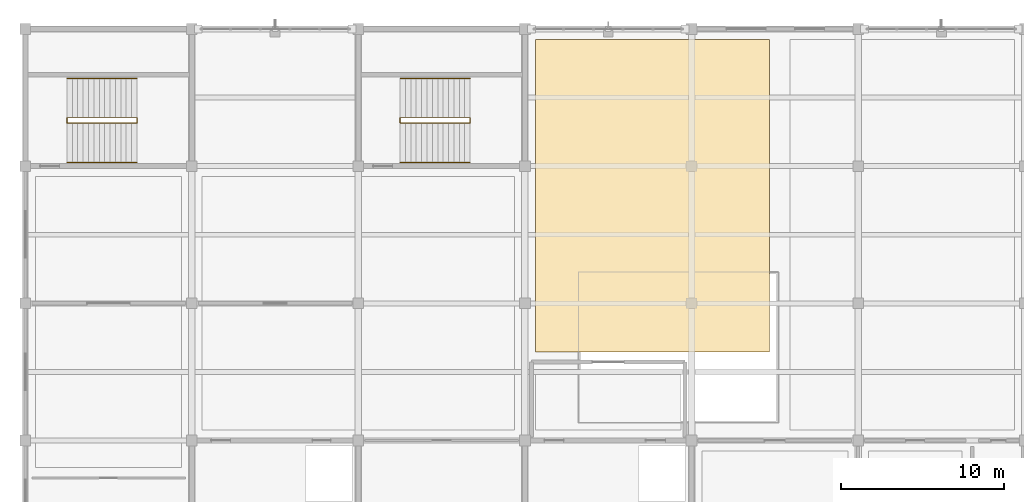
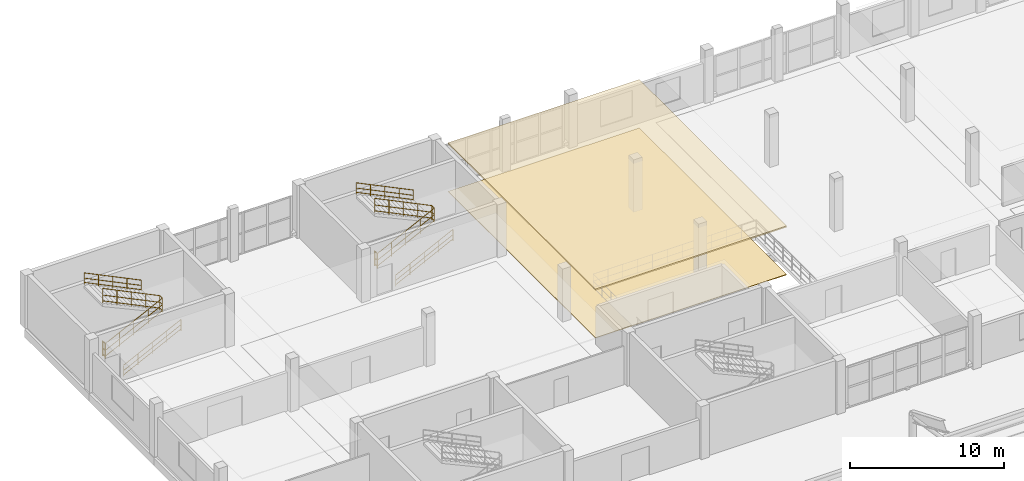
# One storey, part 134 of 135: 8 railings, 2 coverings.
"""IFC4 building model written with IfcOpenShell, lengths in metres."""

from ifc_helpers import new_model, si_unit, direction, frame, origin, origin_2d, place, context, subcontext, project, spatial, polyline, circle, outline, extrude, material, layer, layer_set, type_object, element, save


model = new_model("IFC4")

# Units and contexts
model_context = context("Model", 3, precision=1e-05, world=origin(), true_north=direction((0.0, 1.0)))
body_context = subcontext(model_context, "Body", "Model", "MODEL_VIEW")
ifc_project = project(units=[si_unit("LENGTHUNIT", "METRE"), si_unit("AREAUNIT", "SQUARE_METRE"), si_unit("VOLUMEUNIT", "CUBIC_METRE"), si_unit("PLANEANGLEUNIT", "RADIAN"), si_unit("MASSUNIT", "GRAM", prefix="KILO")], contexts=[model_context])

# Site, building, storey
site_placement = place(None, origin())
site = spatial("IfcSite", under=ifc_project, at=site_placement, CompositionType="ELEMENT")
building_placement = place(site_placement, origin())
building = spatial("IfcBuilding", under=site, at=building_placement, Name="Brelvane Convention Centre", CompositionType="ELEMENT")
storey_placement = place(building_placement, frame((0.0, 0.0, 15.0)))
storey = spatial("IfcBuildingStorey", under=building, at=storey_placement, Name="L03", CompositionType="ELEMENT", Elevation=15.0)

# Coverings
ifc_material_1 = material(Name="Perforated Anodised Aluminium Alloy 6063 Acoustic Baffle", Category="aluminium")
ifc_layer_1 = layer(ifc_material_1, 0.110107421875)
ifc_layer_set_1 = layer_set([ifc_layer_1], Name="Perforated Anodised Aluminium Alloy 6063 Acoustic Baffle")
covering_type_1 = type_object("IfcCoveringType", Name="Interior Finish CL-BAF-110", PredefinedType="CEILING", material=ifc_layer_set_1)
covering_1_placement = place(storey_placement, frame((0.0, 0.0, 3.784912109375)))
element("IfcCovering", 1, at=covering_1_placement, inside=storey, type_object=covering_type_1, Name="Meeting Room 403 Acoustic Ceiling (CL-BAF-110)", PredefinedType="CEILING", context=body_context, shape_type="SweptSolid", body=[
    extrude(outline(polyline([(31.22998046875, 124.22998046875), (45.570068359375, 124.22998046875), (45.570068359375, 143.3701171875), (31.22998046875, 143.3701171875), (31.22998046875, 124.22998046875)])), origin(), (0.0, 0.0, 1.0), 0.110107421875),
])
ifc_material_2 = material(Name="Heavy-Duty Quartz-Filled Industrial Epoxy Screed Grade A")
ifc_layer_2 = layer(ifc_material_2, 0.044921875)
ifc_layer_set_2 = layer_set([ifc_layer_2], Name="Heavy-Duty Quartz-Filled Industrial Epoxy Screed Grade A")
covering_type_2 = type_object("IfcCoveringType", Name="Interior Finish FL-EPX-45", PredefinedType="FLOORING", material=ifc_layer_set_2)
covering_2_placement = place(storey_placement, origin())
element("IfcCovering", 2, at=covering_2_placement, inside=storey, type_object=covering_type_2, Name="Meeting Room 403 Floor Finish (FL-EPX-45)", PredefinedType="FLOORING", context=body_context, shape_type="SweptSolid", body=[
    extrude(outline(polyline([(31.22998046875, 124.22998046875), (45.570068359375, 124.22998046875), (45.570068359375, 143.3701171875), (31.22998046875, 143.3701171875), (31.22998046875, 124.22998046875)])), origin(), (0.0, 0.0, 1.0), 0.044921875),
])

# Railings
ifc_material_3 = material(Name="Steel E350 (350 MPa)", Category="steel")
railing_type_1 = type_object("IfcRailingType", Name="Stair Railing GR-ST-1", PredefinedType="GUARDRAIL", material=ifc_material_3)
railing_1_placement = place(storey_placement, frame((22.949951171875, 138.239990234375, -0.02001953125)))
element("IfcRailing", 3, at=railing_1_placement, inside=storey, type_object=railing_type_1, Name="Stair ST-13 L03 Inner Well Guard", PredefinedType="GUARDRAIL", context=body_context, shape_type="SweptSolid", body=[
    extrude(circle(Radius=0.02392578125, at=origin_2d()), frame((0.0, 0.0, 1.1259765625), z_axis=(0.896499061709, 0.0, 0.443045632363), x_axis=(0.0, 1.0, 0.0)), (0.0, 0.0, 1.0), 4.785400390625),
    extrude(circle(Radius=0.02392578125, at=origin_2d()), frame((0.0, 0.0, 0.597900390625), z_axis=(0.896499061709, 0.0, 0.443045632363), x_axis=(0.0, 1.0, 0.0)), (0.0, 0.0, 1.0), 4.785400390625),
    extrude(circle(Radius=0.02392578125, at=origin_2d()), frame((0.0, 0.0, 0.139892578125), z_axis=(0.896499061709, 0.0, 0.443045632363), x_axis=(0.0, 1.0, 0.0)), (0.0, 0.0, 1.0), 4.785400390625),
    extrude(circle(Radius=0.02392578125, at=origin_2d()), frame((4.2900390625, 0.0, 3.24609375), z_axis=(0.0, 1.0, 0.0), x_axis=(-1.0, 0.0, 0.0)), (0.0, 0.0, 1.0), 0.320068359375),
    extrude(circle(Radius=0.02392578125, at=origin_2d()), frame((4.2900390625, 0.0, 2.718017578125), z_axis=(0.0, 1.0, 0.0), x_axis=(-1.0, 0.0, 0.0)), (0.0, 0.0, 1.0), 0.320068359375),
    extrude(circle(Radius=0.02392578125, at=origin_2d()), frame((4.2900390625, 0.0, 2.260009765625), z_axis=(0.0, 1.0, 0.0), x_axis=(-1.0, 0.0, 0.0)), (0.0, 0.0, 1.0), 0.320068359375),
    extrude(circle(Radius=0.02392578125, at=origin_2d()), frame((4.2900390625, 0.320068359375, 3.24609375), z_axis=(-0.899829335833, 0.0, 0.43624209606), x_axis=(0.0, -1.0, 0.0)), (0.0, 0.0, 1.0), 4.767578125),
    extrude(circle(Radius=0.02392578125, at=origin_2d()), frame((4.2900390625, 0.320068359375, 2.718017578125), z_axis=(-0.899829335833, 0.0, 0.43624209606), x_axis=(0.0, -1.0, 0.0)), (0.0, 0.0, 1.0), 4.767578125),
    extrude(circle(Radius=0.02392578125, at=origin_2d()), frame((4.2900390625, 0.320068359375, 2.260009765625), z_axis=(-0.899829335833, 0.0, 0.43624209606), x_axis=(0.0, -1.0, 0.0)), (0.0, 0.0, 1.0), 4.767578125),
    extrude(circle(Radius=0.02099609375, at=origin_2d()), origin(), (0.0, 0.0, 1.0), 1.101806640625),
    extrude(circle(Radius=0.02099609375, at=origin_2d()), frame((1.072509765625, 0.0, 0.530029296875)), (0.0, 0.0, 1.0), 1.101806640625),
    extrude(circle(Radius=0.02099609375, at=origin_2d()), frame((2.14501953125, 0.0, 1.06005859375)), (0.0, 0.0, 1.0), 1.101806640625),
    extrude(circle(Radius=0.02099609375, at=origin_2d()), frame((3.217529296875, 0.0, 1.590087890625)), (0.0, 0.0, 1.0), 1.101806640625),
    extrude(circle(Radius=0.02099609375, at=origin_2d()), frame((4.2900390625, 0.0, 2.1201171875)), (0.0, 0.0, 1.0), 1.101806640625),
    extrude(circle(Radius=0.02099609375, at=origin_2d()), frame((4.2900390625, 0.320068359375, 2.1201171875)), (0.0, 0.0, 1.0), 1.101806640625),
    extrude(circle(Radius=0.02099609375, at=origin_2d()), frame((3.217529296875, 0.320068359375, 2.64013671875)), (0.0, 0.0, 1.0), 1.101806640625),
    extrude(circle(Radius=0.02099609375, at=origin_2d()), frame((2.14501953125, 0.320068359375, 3.16015625)), (0.0, 0.0, 1.0), 1.101806640625),
    extrude(circle(Radius=0.02099609375, at=origin_2d()), frame((1.072509765625, 0.320068359375, 3.679931640625)), (0.0, 0.0, 1.0), 1.101806640625),
    extrude(circle(Radius=0.02099609375, at=origin_2d()), frame((0.0, 0.320068359375, 4.199951171875)), (0.0, 0.0, 1.0), 1.101806640625),
])
railing_2_placement = place(storey_placement, frame((2.550048828125, 138.239990234375, -0.02001953125)))
element("IfcRailing", 4, at=railing_2_placement, inside=storey, type_object=railing_type_1, Name="Stair ST-17 L03 Inner Well Guard", PredefinedType="GUARDRAIL", context=body_context, shape_type="SweptSolid", body=[
    extrude(circle(Radius=0.02392578125, at=origin_2d()), frame((0.0, 0.0, 1.1259765625), z_axis=(0.896499061709, 0.0, 0.443045632363), x_axis=(0.0, 1.0, 0.0)), (0.0, 0.0, 1.0), 4.785400390625),
    extrude(circle(Radius=0.02392578125, at=origin_2d()), frame((0.0, 0.0, 0.597900390625), z_axis=(0.896499061709, 0.0, 0.443045632363), x_axis=(0.0, 1.0, 0.0)), (0.0, 0.0, 1.0), 4.785400390625),
    extrude(circle(Radius=0.02392578125, at=origin_2d()), frame((0.0, 0.0, 0.139892578125), z_axis=(0.896499061709, 0.0, 0.443045632363), x_axis=(0.0, 1.0, 0.0)), (0.0, 0.0, 1.0), 4.785400390625),
    extrude(circle(Radius=0.02392578125, at=origin_2d()), frame((4.2900390625, 0.0, 3.24609375), z_axis=(0.0, 1.0, 0.0), x_axis=(-1.0, 0.0, 0.0)), (0.0, 0.0, 1.0), 0.320068359375),
    extrude(circle(Radius=0.02392578125, at=origin_2d()), frame((4.2900390625, 0.0, 2.718017578125), z_axis=(0.0, 1.0, 0.0), x_axis=(-1.0, 0.0, 0.0)), (0.0, 0.0, 1.0), 0.320068359375),
    extrude(circle(Radius=0.02392578125, at=origin_2d()), frame((4.2900390625, 0.0, 2.260009765625), z_axis=(0.0, 1.0, 0.0), x_axis=(-1.0, 0.0, 0.0)), (0.0, 0.0, 1.0), 0.320068359375),
    extrude(circle(Radius=0.02392578125, at=origin_2d()), frame((4.2900390625, 0.320068359375, 3.24609375), z_axis=(-0.899829335833, 0.0, 0.43624209606), x_axis=(0.0, -1.0, 0.0)), (0.0, 0.0, 1.0), 4.767578125),
    extrude(circle(Radius=0.02392578125, at=origin_2d()), frame((4.2900390625, 0.320068359375, 2.718017578125), z_axis=(-0.899829335833, 0.0, 0.43624209606), x_axis=(0.0, -1.0, 0.0)), (0.0, 0.0, 1.0), 4.767578125),
    extrude(circle(Radius=0.02392578125, at=origin_2d()), frame((4.2900390625, 0.320068359375, 2.260009765625), z_axis=(-0.899829335833, 0.0, 0.43624209606), x_axis=(0.0, -1.0, 0.0)), (0.0, 0.0, 1.0), 4.767578125),
    extrude(circle(Radius=0.02099609375, at=origin_2d()), origin(), (0.0, 0.0, 1.0), 1.101806640625),
    extrude(circle(Radius=0.02099609375, at=origin_2d()), frame((1.072509765625, 0.0, 0.530029296875)), (0.0, 0.0, 1.0), 1.101806640625),
    extrude(circle(Radius=0.02099609375, at=origin_2d()), frame((2.14501953125, 0.0, 1.06005859375)), (0.0, 0.0, 1.0), 1.101806640625),
    extrude(circle(Radius=0.02099609375, at=origin_2d()), frame((3.217529296875, 0.0, 1.590087890625)), (0.0, 0.0, 1.0), 1.101806640625),
    extrude(circle(Radius=0.02099609375, at=origin_2d()), frame((4.2900390625, 0.0, 2.1201171875)), (0.0, 0.0, 1.0), 1.101806640625),
    extrude(circle(Radius=0.02099609375, at=origin_2d()), frame((4.2900390625, 0.320068359375, 2.1201171875)), (0.0, 0.0, 1.0), 1.101806640625),
    extrude(circle(Radius=0.02099609375, at=origin_2d()), frame((3.217529296875, 0.320068359375, 2.64013671875)), (0.0, 0.0, 1.0), 1.101806640625),
    extrude(circle(Radius=0.02099609375, at=origin_2d()), frame((2.14501953125, 0.320068359375, 3.16015625)), (0.0, 0.0, 1.0), 1.101806640625),
    extrude(circle(Radius=0.02099609375, at=origin_2d()), frame((1.072509765625, 0.320068359375, 3.679931640625)), (0.0, 0.0, 1.0), 1.101806640625),
    extrude(circle(Radius=0.02099609375, at=origin_2d()), frame((0.0, 0.320068359375, 4.199951171875)), (0.0, 0.0, 1.0), 1.101806640625),
])
ifc_material_4 = material(Name="Steel E350 (350 MPa)", Category="steel")
railing_type_2 = type_object("IfcRailingType", Name="Stair Railing GR-ST-2", PredefinedType="GUARDRAIL", material=ifc_material_4)
for number, where, name in (
    (5, (22.949951171875, 138.239990234375, -0.02001953125), "Stair ST-13 L03 Landing Well Guard"),
    (6, (2.550048828125, 138.239990234375, -0.02001953125), "Stair ST-17 L03 Landing Well Guard"),
):
    element("IfcRailing", number, at=place(storey_placement, frame(where)), inside=storey, type_object=railing_type_2, Name=name, PredefinedType="GUARDRAIL", context=body_context, shape_type="SweptSolid", body=[
        extrude(circle(Radius=0.02392578125, at=origin_2d()), frame((0.0, 0.0, 1.15576171875), z_axis=(0.0, 1.0, 0.0), x_axis=(-1.0, 0.0, 0.0)), (0.0, 0.0, 1.0), 0.320068359375),
        extrude(circle(Radius=0.02392578125, at=origin_2d()), frame((0.0, 0.0, 0.613525390625), z_axis=(0.0, 1.0, 0.0), x_axis=(-1.0, 0.0, 0.0)), (0.0, 0.0, 1.0), 0.320068359375),
        extrude(circle(Radius=0.02392578125, at=origin_2d()), frame((0.0, 0.0, 0.139892578125), z_axis=(0.0, 1.0, 0.0), x_axis=(-1.0, 0.0, 0.0)), (0.0, 0.0, 1.0), 0.320068359375),
        extrude(circle(Radius=0.02099609375, at=origin_2d()), origin(), (0.0, 0.0, 1.0), 1.1318359375),
        extrude(circle(Radius=0.02099609375, at=origin_2d()), frame((0.0, 0.320068359375, 0.0)), (0.0, 0.0, 1.0), 1.1318359375),
    ])
ifc_material_5 = material(Name="Steel E350 (350 MPa)", Category="steel")
railing_type_3 = type_object("IfcRailingType", Name="Stair Railing HR-ST-1", PredefinedType="HANDRAIL", material=ifc_material_5)
railing_3_placement = place(storey_placement, frame((22.949951171875, 135.830078125, -0.02001953125)))
element("IfcRailing", 7, at=railing_3_placement, inside=storey, type_object=railing_type_3, Name="Stair ST-13 L03 Outer Handrail F1", PredefinedType="HANDRAIL", context=body_context, shape_type="SweptSolid", body=[
    extrude(circle(Radius=0.02392578125, at=origin_2d()), frame((0.0, 0.0, 0.89599609375), z_axis=(0.896499061709, 0.0, 0.443045632363), x_axis=(0.0, 1.0, 0.0)), (0.0, 0.0, 1.0), 4.785400390625),
    extrude(circle(Radius=0.02392578125, at=origin_2d()), frame((0.0, 0.0, 0.478271484375), z_axis=(0.896499061709, 0.0, 0.443045632363), x_axis=(0.0, 1.0, 0.0)), (0.0, 0.0, 1.0), 4.785400390625),
    extrude(circle(Radius=0.02392578125, at=origin_2d()), frame((0.0, 0.0, 0.139892578125), z_axis=(0.896499061709, 0.0, 0.443045632363), x_axis=(0.0, 1.0, 0.0)), (0.0, 0.0, 1.0), 4.785400390625),
    extrude(circle(Radius=0.02099609375, at=origin_2d()), origin(), (0.0, 0.0, 1.0), 0.871826171875),
    extrude(circle(Radius=0.02099609375, at=origin_2d()), frame((1.072509765625, 0.0, 0.530029296875)), (0.0, 0.0, 1.0), 0.871826171875),
    extrude(circle(Radius=0.02099609375, at=origin_2d()), frame((2.14501953125, 0.0, 1.06005859375)), (0.0, 0.0, 1.0), 0.871826171875),
    extrude(circle(Radius=0.02099609375, at=origin_2d()), frame((3.217529296875, 0.0, 1.590087890625)), (0.0, 0.0, 1.0), 0.871826171875),
    extrude(circle(Radius=0.02099609375, at=origin_2d()), frame((4.2900390625, 0.0, 2.1201171875)), (0.0, 0.0, 1.0), 0.871826171875),
])
railing_4_placement = place(storey_placement, frame((27.239990234375, 140.969970703125, 2.10009765625)))
element("IfcRailing", 8, at=railing_4_placement, inside=storey, type_object=railing_type_3, Name="Stair ST-13 L03 Outer Handrail F2", PredefinedType="HANDRAIL", context=body_context, shape_type="SweptSolid", body=[
    extrude(circle(Radius=0.02392578125, at=origin_2d()), frame((0.0, 0.0, 0.89599609375), z_axis=(-0.899829335833, 0.0, 0.43624209606), x_axis=(0.0, -1.0, 0.0)), (0.0, 0.0, 1.0), 4.767578125),
    extrude(circle(Radius=0.02392578125, at=origin_2d()), frame((0.0, 0.0, 0.478271484375), z_axis=(-0.899829335833, 0.0, 0.43624209606), x_axis=(0.0, -1.0, 0.0)), (0.0, 0.0, 1.0), 4.767578125),
    extrude(circle(Radius=0.02392578125, at=origin_2d()), frame((0.0, 0.0, 0.139892578125), z_axis=(-0.899829335833, 0.0, 0.43624209606), x_axis=(0.0, -1.0, 0.0)), (0.0, 0.0, 1.0), 4.767578125),
    extrude(circle(Radius=0.02099609375, at=origin_2d()), origin(), (0.0, 0.0, 1.0), 0.871826171875),
    extrude(circle(Radius=0.02099609375, at=origin_2d()), frame((-1.072509765625, 0.0, 0.52001953125)), (0.0, 0.0, 1.0), 0.871826171875),
    extrude(circle(Radius=0.02099609375, at=origin_2d()), frame((-2.14501953125, 0.0, 1.0400390625)), (0.0, 0.0, 1.0), 0.871826171875),
    extrude(circle(Radius=0.02099609375, at=origin_2d()), frame((-3.217529296875, 0.0, 1.559814453125)), (0.0, 0.0, 1.0), 0.871826171875),
    extrude(circle(Radius=0.02099609375, at=origin_2d()), frame((-4.2900390625, 0.0, 2.079833984375)), (0.0, 0.0, 1.0), 0.871826171875),
])
railing_5_placement = place(storey_placement, frame((2.550048828125, 135.830078125, -0.02001953125)))
element("IfcRailing", 9, at=railing_5_placement, inside=storey, type_object=railing_type_3, Name="Stair ST-17 L03 Outer Handrail F1", PredefinedType="HANDRAIL", context=body_context, shape_type="SweptSolid", body=[
    extrude(circle(Radius=0.02392578125, at=origin_2d()), frame((0.0, 0.0, 0.89599609375), z_axis=(0.896499061709, 0.0, 0.443045632363), x_axis=(0.0, 1.0, 0.0)), (0.0, 0.0, 1.0), 4.785400390625),
    extrude(circle(Radius=0.02392578125, at=origin_2d()), frame((0.0, 0.0, 0.478271484375), z_axis=(0.896499061709, 0.0, 0.443045632363), x_axis=(0.0, 1.0, 0.0)), (0.0, 0.0, 1.0), 4.785400390625),
    extrude(circle(Radius=0.02392578125, at=origin_2d()), frame((0.0, 0.0, 0.139892578125), z_axis=(0.896499061709, 0.0, 0.443045632363), x_axis=(0.0, 1.0, 0.0)), (0.0, 0.0, 1.0), 4.785400390625),
    extrude(circle(Radius=0.02099609375, at=origin_2d()), origin(), (0.0, 0.0, 1.0), 0.871826171875),
    extrude(circle(Radius=0.02099609375, at=origin_2d()), frame((1.072509765625, 0.0, 0.530029296875)), (0.0, 0.0, 1.0), 0.871826171875),
    extrude(circle(Radius=0.02099609375, at=origin_2d()), frame((2.14501953125, 0.0, 1.06005859375)), (0.0, 0.0, 1.0), 0.871826171875),
    extrude(circle(Radius=0.02099609375, at=origin_2d()), frame((3.217529296875, 0.0, 1.590087890625)), (0.0, 0.0, 1.0), 0.871826171875),
    extrude(circle(Radius=0.02099609375, at=origin_2d()), frame((4.2900390625, 0.0, 2.1201171875)), (0.0, 0.0, 1.0), 0.871826171875),
])
railing_6_placement = place(storey_placement, frame((6.840087890625, 140.969970703125, 2.10009765625)))
element("IfcRailing", 10, at=railing_6_placement, inside=storey, type_object=railing_type_3, Name="Stair ST-17 L03 Outer Handrail F2", PredefinedType="HANDRAIL", context=body_context, shape_type="SweptSolid", body=[
    extrude(circle(Radius=0.02392578125, at=origin_2d()), frame((0.0, 0.0, 0.89599609375), z_axis=(-0.899829335833, 0.0, 0.43624209606), x_axis=(0.0, -1.0, 0.0)), (0.0, 0.0, 1.0), 4.767578125),
    extrude(circle(Radius=0.02392578125, at=origin_2d()), frame((0.0, 0.0, 0.478271484375), z_axis=(-0.899829335833, 0.0, 0.43624209606), x_axis=(0.0, -1.0, 0.0)), (0.0, 0.0, 1.0), 4.767578125),
    extrude(circle(Radius=0.02392578125, at=origin_2d()), frame((0.0, 0.0, 0.139892578125), z_axis=(-0.899829335833, 0.0, 0.43624209606), x_axis=(0.0, -1.0, 0.0)), (0.0, 0.0, 1.0), 4.767578125),
    extrude(circle(Radius=0.02099609375, at=origin_2d()), origin(), (0.0, 0.0, 1.0), 0.871826171875),
    extrude(circle(Radius=0.02099609375, at=origin_2d()), frame((-1.072509765625, 0.0, 0.52001953125)), (0.0, 0.0, 1.0), 0.871826171875),
    extrude(circle(Radius=0.02099609375, at=origin_2d()), frame((-2.14501953125, 0.0, 1.0400390625)), (0.0, 0.0, 1.0), 0.871826171875),
    extrude(circle(Radius=0.02099609375, at=origin_2d()), frame((-3.217529296875, 0.0, 1.559814453125)), (0.0, 0.0, 1.0), 0.871826171875),
    extrude(circle(Radius=0.02099609375, at=origin_2d()), frame((-4.2900390625, 0.0, 2.079833984375)), (0.0, 0.0, 1.0), 0.871826171875),
])

save(model, "model.ifc")
